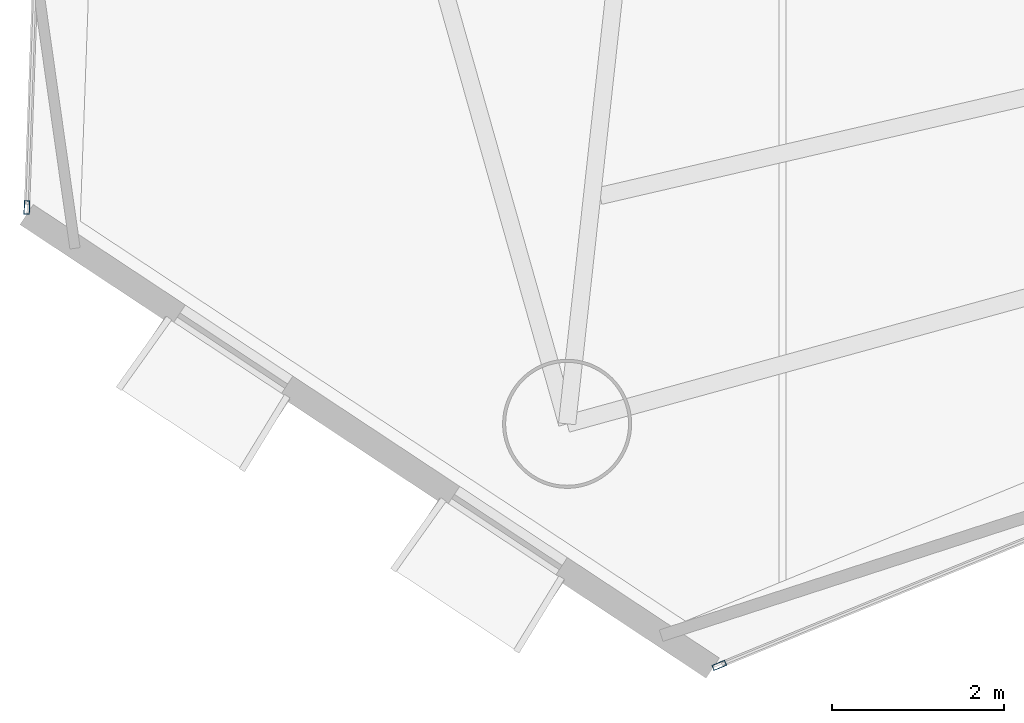
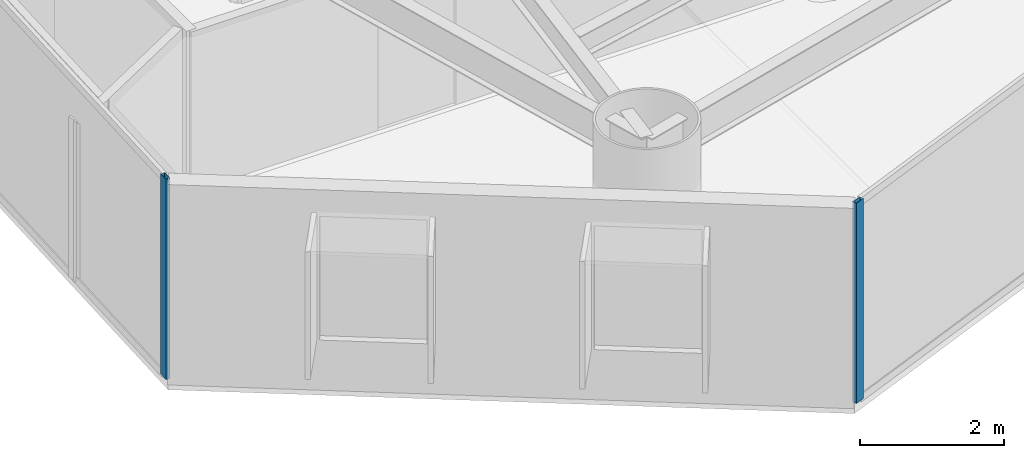
# One storey, part 2 of 22: 2 members, 2 elements without a shape of their own.
"""IFC4 building model written with IfcOpenShell, lengths in metres."""

from ifc_helpers import new_model, si_unit, direction, frame, origin, origin_2d, place, context, subcontext, project, spatial, hollow_rectangle, extrude, material, layer, layer_set, material_profile, profile_set, type_object, element, aggregate, save


model = new_model("IFC4")

# Units and contexts
model_context = context("Model", 3, precision=1e-05, world=origin(), true_north=direction((0.0, 1.0)))
body_context = subcontext(model_context, "Body", "Model", "MODEL_VIEW")
ifc_project = project(units=[si_unit("LENGTHUNIT", "METRE"), si_unit("AREAUNIT", "SQUARE_METRE"), si_unit("VOLUMEUNIT", "CUBIC_METRE"), si_unit("PLANEANGLEUNIT", "RADIAN"), si_unit("MASSUNIT", "GRAM", prefix="KILO")], contexts=[model_context])

# Site, building, storey
site_placement = place(None, origin())
site = spatial("IfcSite", under=ifc_project, at=site_placement, CompositionType="ELEMENT")
building_placement = place(site_placement, origin())
building = spatial("IfcBuilding", under=site, at=building_placement, Name="Qianvela Tower", CompositionType="ELEMENT")
storey_placement = place(building_placement, frame((0.0, 0.0, 134.800048828125)))
storey = spatial("IfcBuildingStorey", under=building, at=storey_placement, Name="L34", CompositionType="ELEMENT", Elevation=134.800048828125)

# Curtain wall, member
ifc_material_1 = material(Name="Anodised Architectural Aluminium and Low-E Glass", Category="aluminium")
ifc_layer = layer(ifc_material_1, 0.169921875)
ifc_layer_set = layer_set([ifc_layer], Name="Anodised Architectural Aluminium and Low-E Glass")
curtain_wall_type = type_object("IfcCurtainWallType", Name="CW-COLIV-Z34", PredefinedType="USERDEFINED", material=ifc_layer_set)
curtain_wall_1_placement = place(storey_placement, origin())
curtain_wall_1 = element("IfcCurtainWall", 1, at=curtain_wall_1_placement, inside=storey, type_object=curtain_wall_type, Name="L34 CW-COLIV-Z34 Curtain Wall 04C", ObjectType="CURTAIN_WALL_SYSTEM", PredefinedType="USERDEFINED")
ifc_material_2 = material(Name="Anodised Architectural Aluminium 6063-T6", Category="aluminium")
ifc_material_profile = material_profile(ifc_material_2, hollow_rectangle(XDim=0.06494140625, YDim=0.159912109375, WallThickness=0.0048828125, at=origin_2d()), Name="ALU-MULL-65x160")
ifc_profile_set = profile_set([ifc_material_profile], Name="Anodised Architectural Aluminium 6063-T6")
member_type = type_object("IfcMemberType", Name="CW-COLIV-Z34-MULL", PredefinedType="MULLION", material=ifc_profile_set)
member_1_placement = place(storey_placement, frame((21.012939453125, 14.423828125, 0.0), z_axis=(0.0, 0.0, 1.0), x_axis=(0.999341176922, -0.036293416862, 0.0)))
member_1 = element("IfcMember", 2, at=member_1_placement, type_object=member_type, Name="CW-4 mullion 2", PredefinedType="MULLION", context=body_context, shape_type="SweptSolid", body=[
    extrude(hollow_rectangle(XDim=0.06494140625, YDim=0.159912109375, WallThickness=0.0048828125, at=origin_2d()), origin(), (0.0, 0.0, 1.0), 3.39990234375),
])
aggregate(curtain_wall_1, [member_1])

curtain_wall_2_placement = place(storey_placement, origin())
curtain_wall_2 = element("IfcCurtainWall", 3, at=curtain_wall_2_placement, inside=storey, type_object=curtain_wall_type, Name="L34 CW-COLIV-Z34 Curtain Wall 06A", ObjectType="CURTAIN_WALL_SYSTEM", PredefinedType="USERDEFINED")
member_2_placement = place(storey_placement, frame((29.060791015625, 9.101318359375, 0.0), z_axis=(0.0, 0.0, 1.0), x_axis=(-0.379015746677, 0.925390222431, 0.0)))
member_2 = element("IfcMember", 4, at=member_2_placement, type_object=member_type, Name="CW-4 mullion 1", PredefinedType="MULLION", context=body_context, shape_type="SweptSolid", body=[
    extrude(hollow_rectangle(XDim=0.06494140625, YDim=0.159912109375, WallThickness=0.0048828125, at=origin_2d()), origin(), (0.0, 0.0, 1.0), 3.39990234375),
])
aggregate(curtain_wall_2, [member_2])

save(model, "model.ifc")
